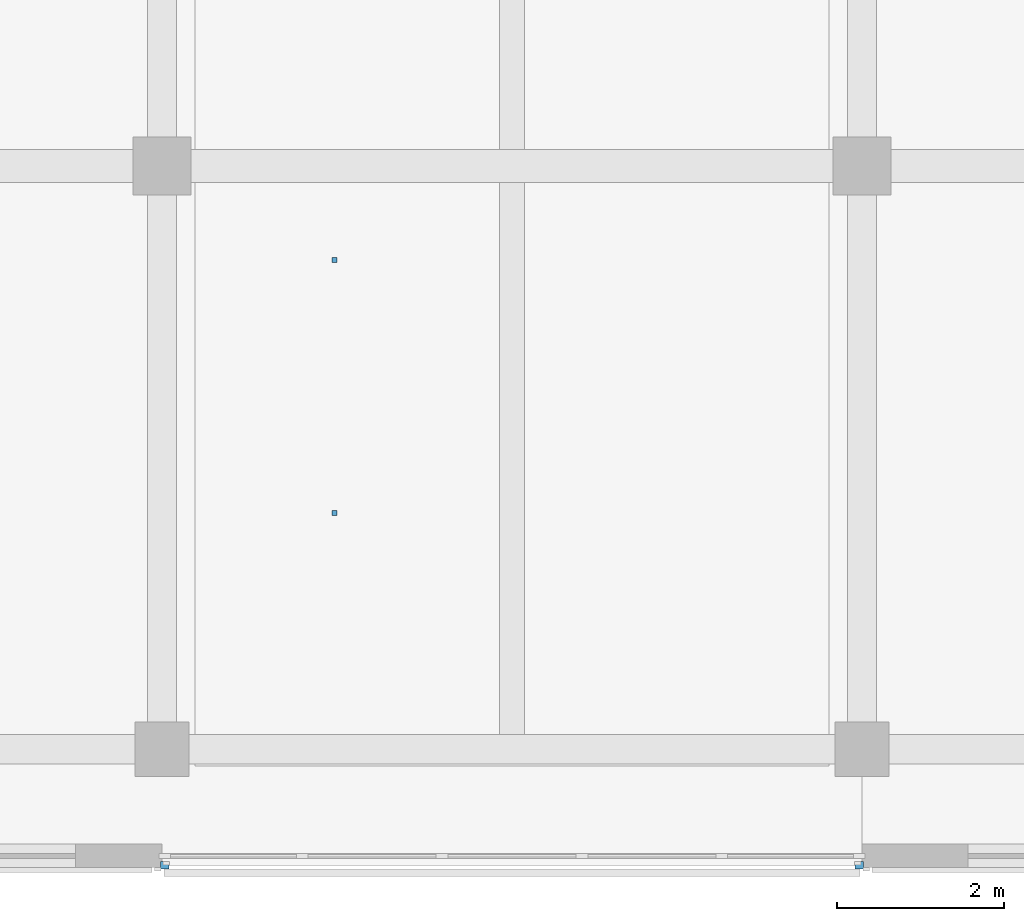
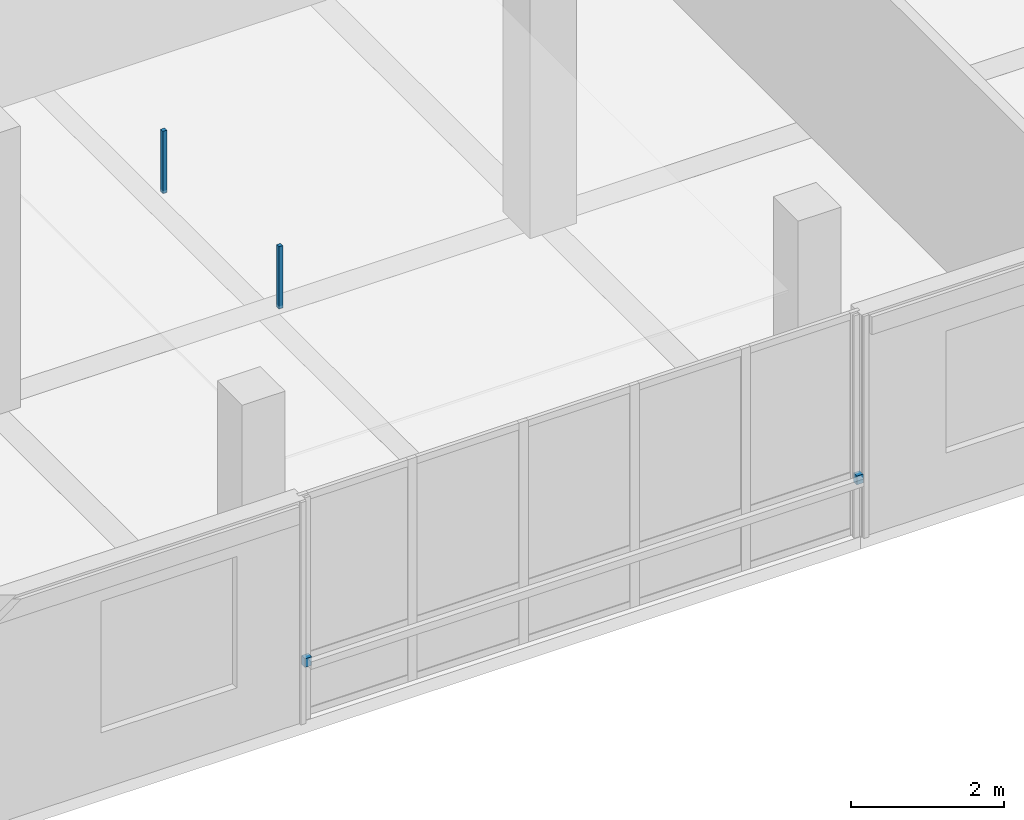
# One storey, part 12 of 28: 4 discrete accessories.
"""IFC4 building model written with IfcOpenShell, lengths in metres."""

from ifc_helpers import new_model, si_unit, direction, frame, origin, origin_2d, place, context, subcontext, project, spatial, rectangle, extrude, material, type_object, element, save


model = new_model("IFC4")

# Units and contexts
model_context = context("Model", 3, precision=1e-05, world=origin(), true_north=direction((0.0, 1.0)))
body_context = subcontext(model_context, "Body", "Model", "MODEL_VIEW")
ifc_project = project(units=[si_unit("LENGTHUNIT", "METRE"), si_unit("AREAUNIT", "SQUARE_METRE"), si_unit("VOLUMEUNIT", "CUBIC_METRE"), si_unit("PLANEANGLEUNIT", "RADIAN"), si_unit("MASSUNIT", "GRAM", prefix="KILO")], contexts=[model_context])

# Site, building, storey
site_placement = place(None, origin())
site = spatial("IfcSite", under=ifc_project, at=site_placement, CompositionType="ELEMENT")
building_placement = place(site_placement, origin())
building = spatial("IfcBuilding", under=site, at=building_placement, Name="Telukmera Botanical Conservatory", CompositionType="ELEMENT")
storey_placement = place(building_placement, frame((0.0, 0.0, 51.0)))
storey = spatial("IfcBuildingStorey", under=building, at=storey_placement, Name="L11", CompositionType="ELEMENT", Elevation=51.0)

# Discrete accessories
ifc_material = material(Name="Steel S355", Category="steel")
discrete_accessory_type_1 = type_object("IfcDiscreteAccessoryType", Name="ACC-CEIL-HGR", PredefinedType="BRACKET", material=ifc_material)
for number, where, z_axis, x_axis, name in (
    (1, (69.269287109375, 13.4375, 3.31005859375), (0.0, 0.0, 1.0), (1.0, 0.0, 0.0), "L11 Suspended Ceiling Hanger Rod 022-1"),
    (2, (69.269287109375, 16.47509765625, 3.31005859375), (0.0, 0.0, 1.0), (1.0, 0.0, 0.0), "L11 Suspended Ceiling Hanger Rod 022-2"),
):
    element("IfcDiscreteAccessory", number, at=place(storey_placement, frame(where, z_axis=z_axis, x_axis=x_axis)), inside=storey, type_object=discrete_accessory_type_1, Name=name, PredefinedType="BRACKET", context=body_context, shape_type="SweptSolid", body=[
        extrude(rectangle(XDim=0.06005859375, YDim=0.06005859375, at=origin_2d()), origin(), (0.0, 0.0, 1.0), 0.9951171875),
    ])
discrete_accessory_type_2 = type_object("IfcDiscreteAccessoryType", Name="Structural Steel Facade Outrigger Fin Bracket", PredefinedType="BRACKET", material=ifc_material)
for number, where, z_axis, x_axis, name in (
    (3, (67.23193359375, 9.205078125, 0.8798828125), (0.0, 0.0, 1.0), (1.0, 0.0, 0.0), "Facade Outrigger Bracket V4:L11:S2 A"),
    (4, (75.568115234375, 9.205078125, 0.8798828125), (0.0, 0.0, 1.0), (1.0, 0.0, 0.0), "Facade Outrigger Bracket V4:L11:S2 B"),
):
    element("IfcDiscreteAccessory", number, at=place(storey_placement, frame(where, z_axis=z_axis, x_axis=x_axis)), inside=storey, type_object=discrete_accessory_type_2, Name=name, PredefinedType="BRACKET", context=body_context, shape_type="SweptSolid", body=[
        extrude(rectangle(XDim=0.10009765625, YDim=0.090087890625, at=origin_2d()), origin(), (0.0, 0.0, 1.0), 0.139892578125),
    ])

save(model, "model.ifc")
